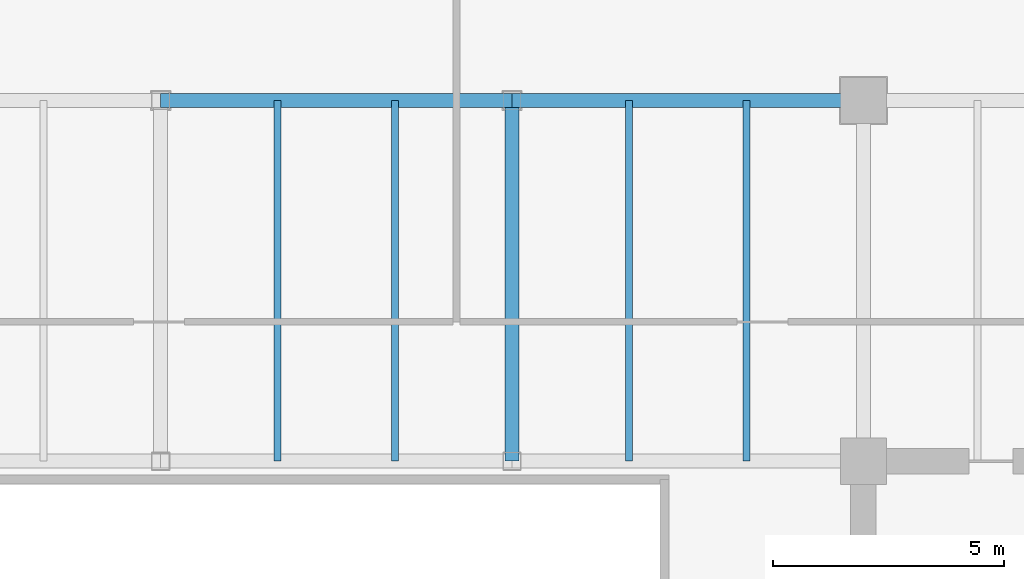
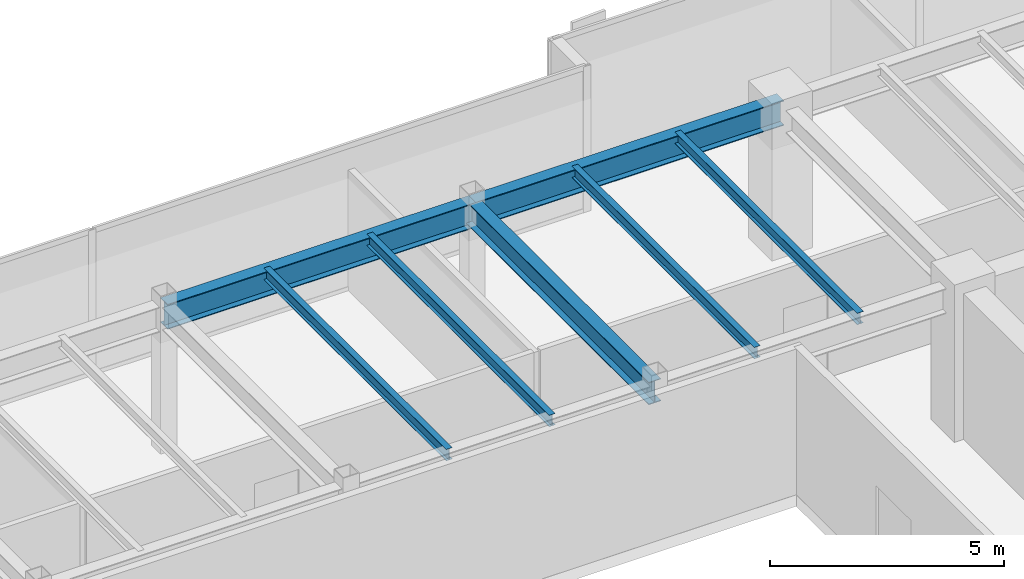
# One storey, part 18 of 35: 7 beams.
"""IFC4 building model written with IfcOpenShell, lengths in metres."""

from ifc_helpers import new_model, si_unit, direction, frame, origin, origin_2d, place, context, subcontext, project, spatial, i_section, extrude, source, transform, mapped, material, material_profile, profile_set, type_object, type_shapes, element, save


model = new_model("IFC4")

# Units and contexts
model_context = context("Model", 3, precision=1e-05, world=origin(), true_north=direction((0.0, 1.0)))
body_context = subcontext(model_context, "Body", "Model", "MODEL_VIEW")
ifc_project = project(units=[si_unit("LENGTHUNIT", "METRE"), si_unit("AREAUNIT", "SQUARE_METRE"), si_unit("VOLUMEUNIT", "CUBIC_METRE"), si_unit("PLANEANGLEUNIT", "RADIAN"), si_unit("MASSUNIT", "GRAM", prefix="KILO")], contexts=[model_context])

# Site, building, storey
site_placement = place(None, origin())
site = spatial("IfcSite", under=ifc_project, at=site_placement, CompositionType="ELEMENT")
building_placement = place(site_placement, origin())
building = spatial("IfcBuilding", under=site, at=building_placement, Name="Haelvirn Gate Laboratories", CompositionType="ELEMENT")
storey_placement = place(building_placement, frame((0.0, 0.0, 201.39990234375)))
storey = spatial("IfcBuildingStorey", under=building, at=storey_placement, Name="L48", CompositionType="ELEMENT", Elevation=201.39990234375)

# Beams
ifc_material = material(Name="Steel SM355", Category="steel")
ifc_material_profile_1 = material_profile(ifc_material, i_section(OverallWidth=0.14990234375, OverallDepth=0.300048828125, WebThickness=0.006591796875, FlangeThickness=0.009033203125, at=origin_2d()), Name="H-300x150x6.5x9")
ifc_profile_set_1 = profile_set([ifc_material_profile_1], Name="Steel SM355")
beam_type_1 = type_object("IfcBeamType", Name="BM-J-300", PredefinedType="JOIST", material=ifc_profile_set_1)
shared_shape_1 = source(origin(), body_context, "Body", "SweptSolid", [
    extrude(i_section(OverallWidth=0.14990234375, OverallDepth=0.300048828125, WebThickness=0.006591796875, FlangeThickness=0.009033203125, at=origin_2d()), origin(), (0.0, 0.0, 1.0), 7.800048828125),
])
type_shapes(beam_type_1, [shared_shape_1])
for number, where, z_axis, x_axis, name in (
    (1, (39.929931640625, 33.800048828125, 3.650146484375), (0.0, 1.0, 0.0), (-1.0, 0.0, 0.0), "L48 Composite Lab Joist North X39.93"),
    (2, (42.469970703125, 33.800048828125, 3.650146484375), (0.0, 1.0, 0.0), (-1.0, 0.0, 0.0), "L48 Composite Lab Joist North X42.47"),
    (3, (47.530029296875, 33.800048828125, 3.650146484375), (0.0, 1.0, 0.0), (-1.0, 0.0, 0.0), "L48 Composite Lab Joist North X47.53"),
    (4, (50.070068359375, 33.800048828125, 3.650146484375), (0.0, 1.0, 0.0), (-1.0, 0.0, 0.0), "L48 Composite Lab Joist North X50.07"),
):
    element("IfcBeam", number, at=place(storey_placement, frame(where, z_axis=z_axis, x_axis=x_axis)), inside=storey, type_object=beam_type_1, Name=name, PredefinedType="JOIST", context=body_context, shape_type="MappedRepresentation", body=[
        mapped(shared_shape_1, transform((0.0, 0.0, 0.0), scale=1.0)),
    ])
ifc_material_profile_2 = material_profile(ifc_material, i_section(OverallWidth=0.300048828125, OverallDepth=0.587890625, WebThickness=0.011962890625, FlangeThickness=0.02001953125, at=origin_2d()), Name="H-588x300x12x20")
ifc_profile_set_2 = profile_set([ifc_material_profile_2], Name="Steel SM355")
beam_type_2 = type_object("IfcBeamType", Name="BM-G-588", PredefinedType="BEAM", material=ifc_profile_set_2)
shared_shape_2 = source(origin(), body_context, "Body", "SweptSolid", [
    extrude(i_section(OverallWidth=0.300048828125, OverallDepth=0.587890625, WebThickness=0.011962890625, FlangeThickness=0.02001953125, at=origin_2d()), origin(), (0.0, 0.0, 1.0), 7.800048828125),
])
type_shapes(beam_type_2, [shared_shape_2])
beam_placement = place(storey_placement, frame((45.0, 33.800048828125, 3.506103515625), z_axis=(0.0, 1.0, 0.0), x_axis=(-1.0, 0.0, 0.0)))
element("IfcBeam", 5, at=beam_placement, inside=storey, type_object=beam_type_2, Name="L48 Frame Girder X45.0 (33.8-41.6)", PredefinedType="BEAM", context=body_context, shape_type="MappedRepresentation", body=[
    mapped(shared_shape_2, transform((0.0, 0.0, 0.0), scale=1.0)),
])
ifc_material_profile_3 = material_profile(ifc_material, i_section(OverallWidth=0.300048828125, OverallDepth=0.64990234375, WebThickness=0.012939453125, FlangeThickness=0.02197265625, at=origin_2d()), Name="H-650x300x13x22")
ifc_profile_set_3 = profile_set([ifc_material_profile_3], Name="Steel SM355")
beam_type_3 = type_object("IfcBeamType", Name="BM-G-650", PredefinedType="BEAM", material=ifc_profile_set_3)
shared_shape_3 = source(origin(), body_context, "Body", "SweptSolid", [
    extrude(i_section(OverallWidth=0.300048828125, OverallDepth=0.64990234375, WebThickness=0.012939453125, FlangeThickness=0.02197265625, at=origin_2d()), origin(), (0.0, 0.0, 1.0), 7.60009765625),
])
type_shapes(beam_type_3, [shared_shape_3])
for number, where, z_axis, x_axis, name in (
    (6, (37.39990234375, 41.60009765625, 3.47509765625), (1.0, 0.0, 0.0), (0.0, 1.0, 0.0), "L48 Primary Girder Y41.6 (37.4-45.0)"),
    (7, (45.0, 41.60009765625, 3.47509765625), (1.0, 0.0, 0.0), (0.0, 1.0, 0.0), "L48 Primary Girder Y41.6 (45.0-52.6)"),
):
    element("IfcBeam", number, at=place(storey_placement, frame(where, z_axis=z_axis, x_axis=x_axis)), inside=storey, type_object=beam_type_3, Name=name, PredefinedType="BEAM", context=body_context, shape_type="MappedRepresentation", body=[
        mapped(shared_shape_3, transform((0.0, 0.0, 0.0), scale=1.0)),
    ])

save(model, "model.ifc")
